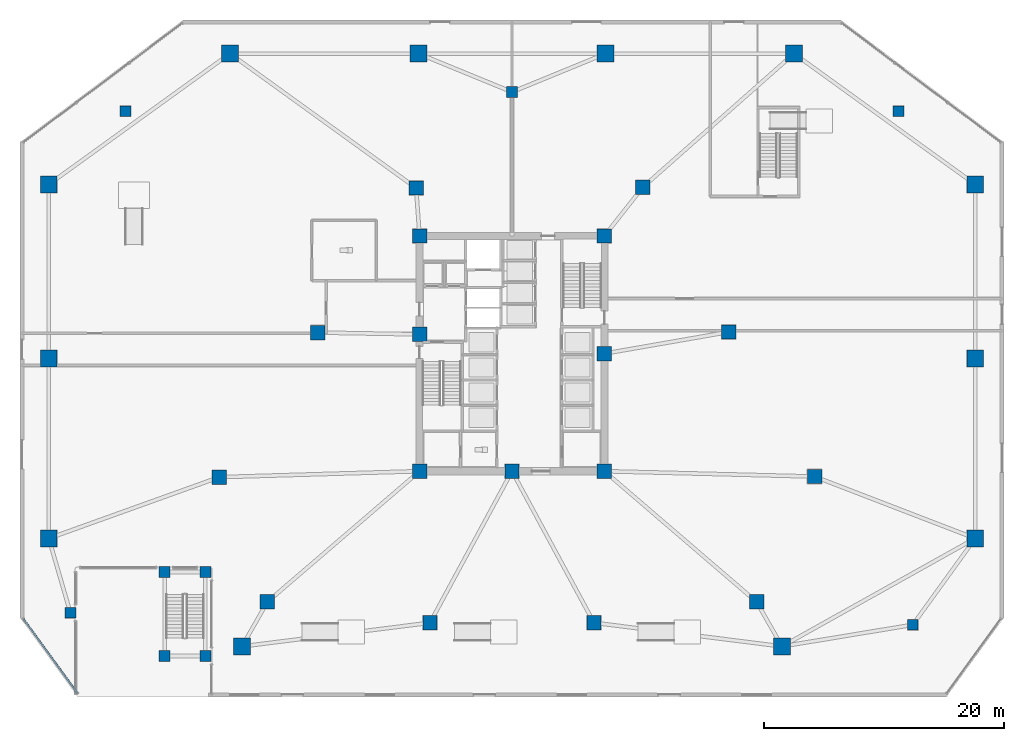
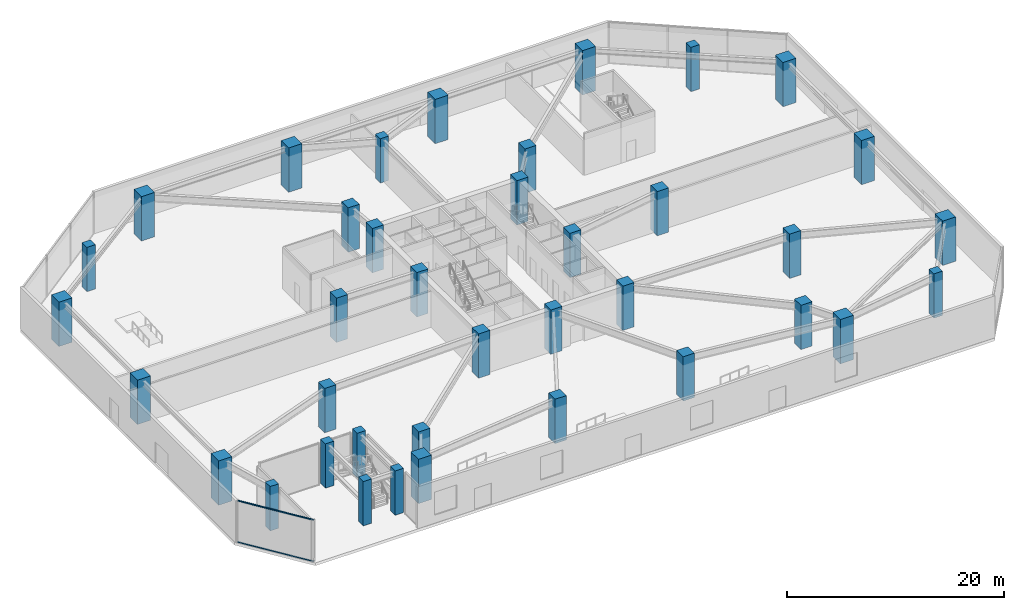
# One storey, part 1 of 22: 38 columns, 2 members, 1 element without a shape of its own.
"""IFC4 building model written with IfcOpenShell, lengths in metres."""

from ifc_helpers import new_model, si_unit, direction, frame, origin, origin_2d, place, context, subcontext, project, spatial, rectangle, extrude, material, material_profile, profile_set, type_object, element, aggregate, save


model = new_model("IFC4")

# Units and contexts
model_context = context("Model", 3, precision=1e-05, world=origin(), true_north=direction((0.0, 1.0)))
body_context = subcontext(model_context, "Body", "Model", "MODEL_VIEW")
ifc_project = project(units=[si_unit("LENGTHUNIT", "METRE"), si_unit("AREAUNIT", "SQUARE_METRE"), si_unit("VOLUMEUNIT", "CUBIC_METRE"), si_unit("PLANEANGLEUNIT", "RADIAN"), si_unit("MASSUNIT", "GRAM", prefix="KILO")], contexts=[model_context])

# Site, building, storey
site_placement = place(None, origin())
site = spatial("IfcSite", under=ifc_project, at=site_placement, CompositionType="ELEMENT")
building_placement = place(site_placement, origin())
building = spatial("IfcBuilding", under=site, at=building_placement, Name="Savorim Split Tower", CompositionType="ELEMENT")
storey_placement = place(building_placement, origin())
storey = spatial("IfcBuildingStorey", under=building, at=storey_placement, Name="L00", CompositionType="ELEMENT", Elevation=0.0)

# Columns
ifc_material_1 = material(Name="Concrete C60/75", Category="concrete")
ifc_material_profile_1 = material_profile(ifc_material_1, rectangle(XDim=1.199951171875, YDim=1.199951171875, at=origin_2d()), Name="RC 1200x1200")
ifc_profile_set_1 = profile_set([ifc_material_profile_1], Name="Concrete C60/75")
column_type_1 = type_object("IfcColumnType", Name="COL-RC-1200", PredefinedType="COLUMN", material=ifc_profile_set_1)
for number, where, z_axis, x_axis, name in (
    (1, (-7.699951171875, -9.39990234375, 0.0), (0.0, 0.0, 1.0), (1.0, 0.0, 0.0), "L00 Core Structural Column TC-C1"),
    (2, (7.699951171875, -9.39990234375, 0.0), (0.0, 0.0, 1.0), (1.0, 0.0, 0.0), "L00 Core Structural Column TC-C2"),
    (3, (7.699951171875, 10.199951171875, 0.0), (0.0, 0.0, 1.0), (1.0, 0.0, 0.0), "L00 Core Structural Column TC-C3"),
    (4, (-7.699951171875, 10.199951171875, 0.0), (0.0, 0.0, 1.0), (1.0, 0.0, 0.0), "L00 Core Structural Column TC-C4"),
    (5, (0.0, -9.39990234375, 0.0), (0.0, 0.0, 1.0), (1.0, 0.0, 0.0), "L00 Core Structural Column TC-C5"),
    (6, (7.699951171875, 0.39990234375, 0.0), (0.0, 0.0, 1.0), (1.0, 0.0, 0.0), "L00 Core Structural Column TC-C6"),
    (7, (-7.699951171875, 2.0, 0.0), (0.0, 0.0, 1.0), (1.0, 0.0, 0.0), "L00 Core Structural Column TC-C7"),
    (8, (-20.384033203125, -20.291748046875, 0.0), (0.0, 0.0, 1.0), (1.0, 0.0, 0.0), "L00 Tower Transfer Pier Column PC-S1"),
    (9, (-6.831787109375, -22.03173828125, 0.0), (0.0, 0.0, 1.0), (1.0, 0.0, 0.0), "L00 Tower Transfer Pier Column PC-S2"),
    (10, (6.831787109375, -22.03173828125, 0.0), (0.0, 0.0, 1.0), (1.0, 0.0, 0.0), "L00 Tower Transfer Pier Column PC-S3"),
    (11, (20.384033203125, -20.291748046875, 0.0), (0.0, 0.0, 1.0), (1.0, 0.0, 0.0), "L00 Tower Transfer Pier Column PC-S4"),
    (12, (25.21337890625, -9.845458984375, 0.0), (0.0, 0.0, 1.0), (1.0, 0.0, 0.0), "L00 Tower Transfer Pier Column PC-E1"),
    (13, (18.049560546875, 2.202392578125, 0.0), (0.0, 0.0, 1.0), (1.0, 0.0, 0.0), "L00 Tower Transfer Pier Column PC-E2"),
    (14, (10.885498046875, 14.25048828125, 0.0), (0.0, 0.0, 1.0), (1.0, 0.0, 0.0), "L00 Tower Transfer Pier Column PC-E3"),
    (15, (-7.992431640625, 14.20166015625, 0.0), (0.0, 0.0, 1.0), (1.0, 0.0, 0.0), "L00 Tower Transfer Pier Column PC-W1"),
    (16, (-16.1884765625, 2.15380859375, 0.0), (0.0, 0.0, 1.0), (1.0, 0.0, 0.0), "L00 Tower Transfer Pier Column PC-W2"),
    (17, (-24.384521484375, -9.894287109375, 0.0), (0.0, 0.0, 1.0), (1.0, 0.0, 0.0), "L00 Tower Transfer Pier Column PC-W3"),
):
    element("IfcColumn", number, at=place(storey_placement, frame(where, z_axis=z_axis, x_axis=x_axis)), inside=storey, type_object=column_type_1, Name=name, PredefinedType="COLUMN", context=body_context, shape_type="SweptSolid", body=[
        extrude(rectangle(XDim=1.199951171875, YDim=1.199951171875, at=origin_2d()), origin(), (0.0, 0.0, 1.0), 5.0),
    ])
ifc_material_profile_2 = material_profile(ifc_material_1, rectangle(XDim=1.39990234375, YDim=1.39990234375, at=origin_2d()), Name="RC 1400x1400")
ifc_profile_set_2 = profile_set([ifc_material_profile_2], Name="Concrete C60/75")
column_type_2 = type_object("IfcColumnType", Name="COL-RC-1400", PredefinedType="COLUMN", material=ifc_profile_set_2)
for number, where, z_axis, x_axis, name in (
    (18, (38.60009765625, -15.0, 0.0), (0.0, 0.0, 1.0), (1.0, 0.0, 0.0), "L00 Podium Perimeter Column DC-05"),
    (19, (38.60009765625, 0.0, 0.0), (0.0, 0.0, 1.0), (1.0, 0.0, 0.0), "L00 Podium Perimeter Column DC-06"),
    (20, (38.60009765625, 14.5, 0.0), (0.0, 0.0, 1.0), (1.0, 0.0, 0.0), "L00 Podium Perimeter Column DC-07"),
    (21, (23.5, 25.39990234375, 0.0), (0.0, 0.0, 1.0), (1.0, 0.0, 0.0), "L00 Podium Perimeter Column DC-08"),
    (22, (7.800048828125, 25.39990234375, 0.0), (0.0, 0.0, 1.0), (1.0, 0.0, 0.0), "L00 Podium Perimeter Column DC-09"),
    (23, (-7.800048828125, 25.39990234375, 0.0), (0.0, 0.0, 1.0), (1.0, 0.0, 0.0), "L00 Podium Perimeter Column DC-10"),
    (24, (-23.5, 25.39990234375, 0.0), (0.0, 0.0, 1.0), (1.0, 0.0, 0.0), "L00 Podium Perimeter Column DC-11"),
    (25, (-38.60009765625, 14.5, 0.0), (0.0, 0.0, 1.0), (1.0, 0.0, 0.0), "L00 Podium Perimeter Column DC-12"),
    (26, (-38.60009765625, 0.0, 0.0), (0.0, 0.0, 1.0), (1.0, 0.0, 0.0), "L00 Podium Perimeter Column DC-13"),
    (27, (-38.60009765625, -15.0, 0.0), (0.0, 0.0, 1.0), (1.0, 0.0, 0.0), "L00 Podium Perimeter Column DC-14"),
    (28, (-22.5, -24.0, 0.0), (0.0, 0.0, 1.0), (1.0, 0.0, 0.0), "L00 Podium Perimeter Column DC-01"),
    (29, (22.5, -24.0, 0.0), (0.0, 0.0, 1.0), (1.0, 0.0, 0.0), "L00 Podium Perimeter Column DC-04"),
):
    element("IfcColumn", number, at=place(storey_placement, frame(where, z_axis=z_axis, x_axis=x_axis)), inside=storey, type_object=column_type_2, Name=name, PredefinedType="COLUMN", context=body_context, shape_type="SweptSolid", body=[
        extrude(rectangle(XDim=1.39990234375, YDim=1.39990234375, at=origin_2d()), origin(), (0.0, 0.0, 1.0), 5.0),
    ])
ifc_material_profile_3 = material_profile(ifc_material_1, rectangle(XDim=0.89990234375, YDim=0.89990234375, at=origin_2d()), Name="RC 900x900")
ifc_profile_set_3 = profile_set([ifc_material_profile_3], Name="Concrete C60/75")
column_type_3 = type_object("IfcColumnType", Name="COL-RC-900", PredefinedType="COLUMN", material=ifc_profile_set_3)
for number, where, z_axis, x_axis, name in (
    (30, (33.39990234375, -22.199951171875, 0.0), (0.0, 0.0, 1.0), (1.0, 0.0, 0.0), "L00 Podium Support Column GC-01"),
    (31, (32.199951171875, 20.60009765625, 0.0), (0.0, 0.0, 1.0), (1.0, 0.0, 0.0), "L00 Podium Support Column GC-02"),
    (32, (-32.199951171875, 20.60009765625, 0.0), (0.0, 0.0, 1.0), (1.0, 0.0, 0.0), "L00 Podium Support Column GC-03"),
    (33, (-36.800048828125, -21.199951171875, 0.0), (0.0, 0.0, 1.0), (1.0, 0.0, 0.0), "L00 Podium Support Column GC-04"),
    (34, (0.0, 22.199951171875, 0.0), (0.0, 0.0, 1.0), (1.0, 0.0, 0.0), "L00 Podium Support Column GC-05"),
    (35, (-28.949951171875, -24.800048828125, 0.0), (0.0, 0.0, 1.0), (1.0, 0.0, 0.0), "L00 Podium Support Column GSC-1"),
    (36, (-25.550048828125, -24.800048828125, 0.0), (0.0, 0.0, 1.0), (1.0, 0.0, 0.0), "L00 Podium Support Column GSC-2"),
    (37, (-28.949951171875, -17.800048828125, 0.0), (0.0, 0.0, 1.0), (1.0, 0.0, 0.0), "L00 Podium Support Column GSC-3"),
    (38, (-25.550048828125, -17.800048828125, 0.0), (0.0, 0.0, 1.0), (1.0, 0.0, 0.0), "L00 Podium Support Column GSC-4"),
):
    element("IfcColumn", number, at=place(storey_placement, frame(where, z_axis=z_axis, x_axis=x_axis)), inside=storey, type_object=column_type_3, Name=name, PredefinedType="COLUMN", context=body_context, shape_type="SweptSolid", body=[
        extrude(rectangle(XDim=0.89990234375, YDim=0.89990234375, at=origin_2d()), origin(), (0.0, 0.0, 1.0), 5.0),
    ])

# Curtain wall, members
ifc_material_2 = material(Name="Dark Ceramic-Fritted Insulated Glass", Category="glass")
curtain_wall_type = type_object("IfcCurtainWallType", Name="CW-POD-GLZ", PredefinedType="NOTDEFINED", material=ifc_material_2)
curtain_wall_placement = place(storey_placement, origin())
curtain_wall = element("IfcCurtainWall", 39, at=curtain_wall_placement, inside=storey, type_object=curtain_wall_type, Name="L00 Curtain Wall CW-L00-E11", PredefinedType="NOTDEFINED")
ifc_material_3 = material(Name="Charcoal Anodised Aluminium", Category="aluminium")
ifc_material_profile_4 = material_profile(ifc_material_3, rectangle(XDim=0.159912109375, YDim=0.06005859375, at=origin_2d()), Name="ALU-T 160x60")
ifc_profile_set_4 = profile_set([ifc_material_profile_4], Name="Charcoal Anodised Aluminium")
member_type = type_object("IfcMemberType", Name="CWT-160x60", PredefinedType="USERDEFINED", material=ifc_profile_set_4)
member_1_placement = place(storey_placement, frame((-40.7236328125, -21.7080078125, 0.030029296875), z_axis=(0.58815653872, -0.80874710878, 0.0), x_axis=(0.80874710878, 0.58815653872, 0.0)))
member_1 = element("IfcMember", 40, at=member_1_placement, type_object=member_type, Name="CW-01 transom 1.1", ObjectType="TRANSOM", PredefinedType="USERDEFINED", context=body_context, shape_type="SweptSolid", body=[
    extrude(rectangle(XDim=0.159912109375, YDim=0.06005859375, at=origin_2d()), origin(), (0.0, 0.0, 1.0), 7.660888671875),
])
member_2_placement = place(storey_placement, frame((-40.7236328125, -21.7080078125, 4.68994140625), z_axis=(0.58815653872, -0.80874710878, 0.0), x_axis=(0.80874710878, 0.58815653872, 0.0)))
member_2 = element("IfcMember", 41, at=member_2_placement, type_object=member_type, Name="CW-01 transom 1.2", ObjectType="TRANSOM", PredefinedType="USERDEFINED", context=body_context, shape_type="SweptSolid", body=[
    extrude(rectangle(XDim=0.159912109375, YDim=0.06005859375, at=origin_2d()), origin(), (0.0, 0.0, 1.0), 7.660888671875),
])
aggregate(curtain_wall, [member_1, member_2])

save(model, "model.ifc")
